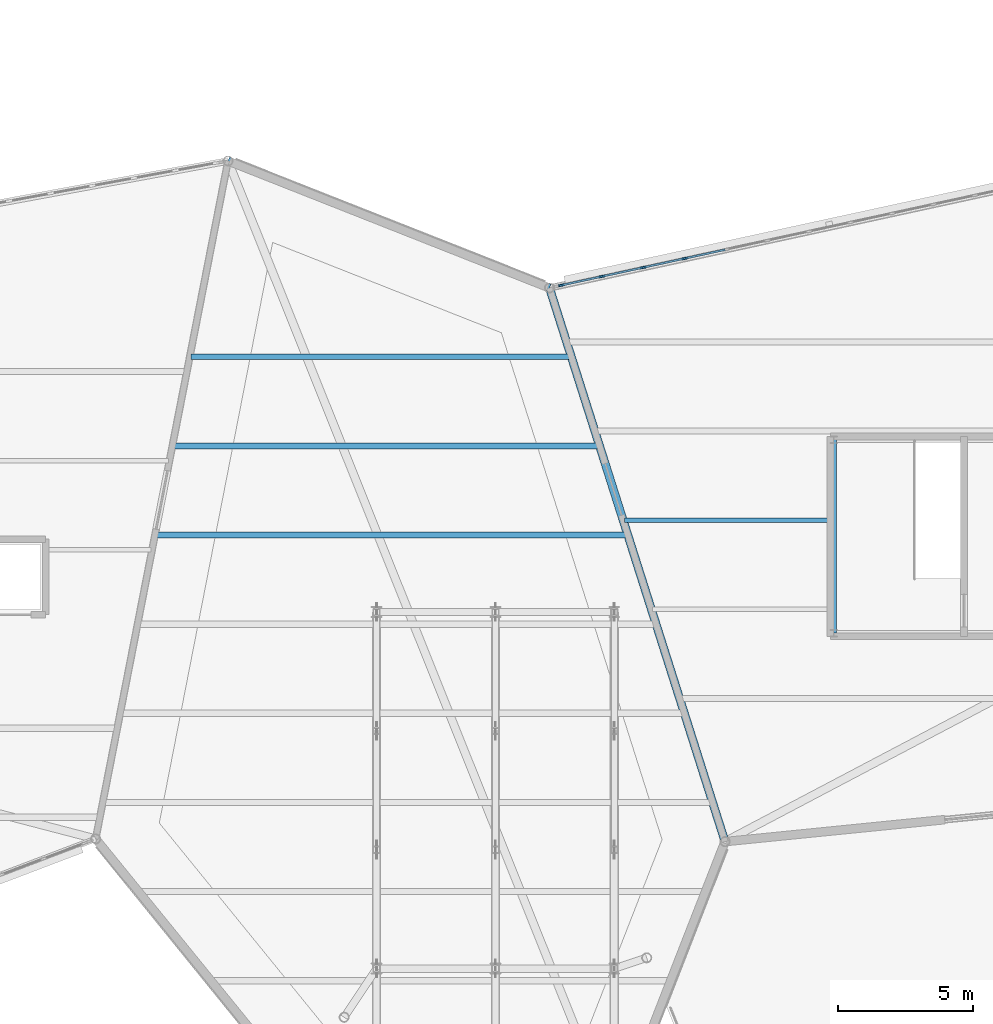
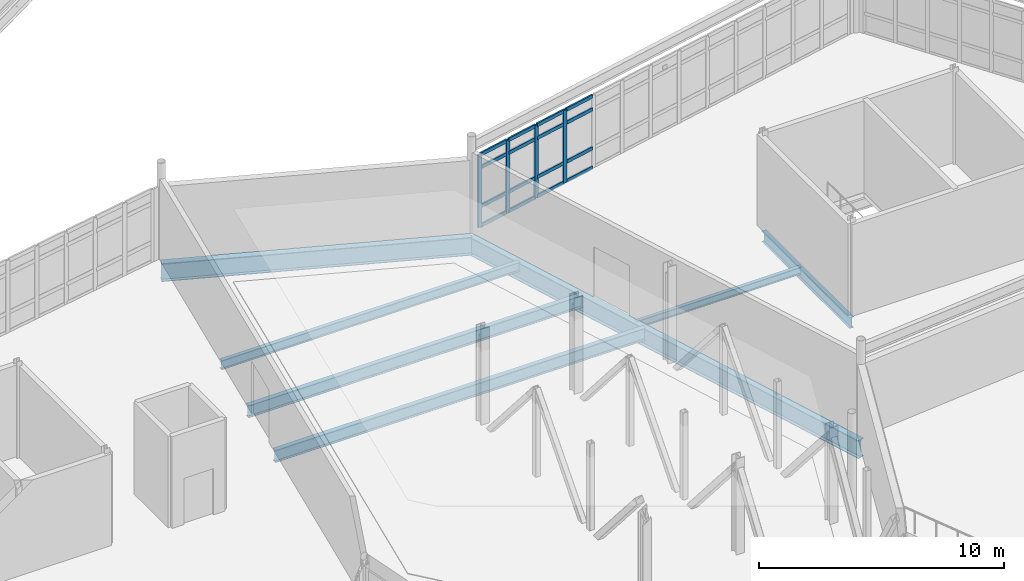
# One storey, part 59 of 114: 20 members, 7 beams, 1 element without a shape of its own.
"""IFC4 building model written with IfcOpenShell, lengths in metres."""

from ifc_helpers import new_model, si_unit, direction, frame, origin, origin_2d, place, context, subcontext, project, spatial, rectangle, i_section, extrude, material, material_profile, profile_set, type_object, element, aggregate, save


model = new_model("IFC4")

# Units and contexts
model_context = context("Model", 3, precision=1e-05, world=origin(), true_north=direction((0.0, 1.0)))
body_context = subcontext(model_context, "Body", "Model", "MODEL_VIEW")
ifc_project = project(units=[si_unit("LENGTHUNIT", "METRE"), si_unit("AREAUNIT", "SQUARE_METRE"), si_unit("VOLUMEUNIT", "CUBIC_METRE"), si_unit("PLANEANGLEUNIT", "RADIAN"), si_unit("MASSUNIT", "GRAM", prefix="KILO")], contexts=[model_context])

# Site, building, storey
site_placement = place(None, origin())
site = spatial("IfcSite", under=ifc_project, at=site_placement, CompositionType="ELEMENT")
building_placement = place(site_placement, origin())
building = spatial("IfcBuilding", under=site, at=building_placement, Name="Tameran Prism Museum", CompositionType="ELEMENT")
storey_placement = place(building_placement, frame((0.0, 0.0, 10.199951171875)))
storey = spatial("IfcBuildingStorey", under=building, at=storey_placement, Name="L02", CompositionType="ELEMENT", Elevation=10.199951171875)

# Beams
ifc_material_1 = material(Name="Steel Grade 300PLUS (300 MPa)", Category="steel")
ifc_material_profile_1 = material_profile(ifc_material_1, i_section(OverallWidth=0.172119140625, OverallDepth=0.35888671875, WebThickness=0.008056640625, FlangeThickness=0.012939453125, FilletRadius=0.011474609375, at=origin_2d()))
ifc_profile_set_1 = profile_set([ifc_material_profile_1])
beam_type_1 = type_object("IfcBeamType", Name="BM-J360A", PredefinedType="JOIST", material=ifc_profile_set_1)
beam_1_placement = place(storey_placement, frame((140.26904296875, 34.10009765625, -0.3994140625), z_axis=(1.0, 0.0, 0.0), x_axis=(0.0, 1.0, 0.0)))
element("IfcBeam", 1, at=beam_1_placement, inside=storey, type_object=beam_type_1, Name="Floor Beam BM-0936", PredefinedType="JOIST", context=body_context, shape_type="SweptSolid", body=[
    extrude(i_section(OverallWidth=0.172119140625, OverallDepth=0.35888671875, WebThickness=0.008056640625, FlangeThickness=0.012939453125, FilletRadius=0.011474609375, at=origin_2d()), origin(), (0.0, 0.0, 1.0), 7.7509765625),
])
ifc_material_2 = material(Name="Steel Grade 300PLUS (300 MPa)", Category="steel")
ifc_material_profile_2 = material_profile(ifc_material_2, i_section(OverallWidth=0.18994140625, OverallDepth=0.4541015625, WebThickness=0.008544921875, FlangeThickness=0.0126953125, FilletRadius=0.011474609375, at=origin_2d()))
ifc_profile_set_2 = profile_set([ifc_material_profile_2])
beam_type_2 = type_object("IfcBeamType", Name="BM-J460B", PredefinedType="JOIST", material=ifc_profile_set_2)
beam_2_placement = place(storey_placement, frame((124.22509765625, 40.14990234375, -0.447021484375), z_axis=(1.0, 0.0, 0.0), x_axis=(0.0, 1.0, 0.0)))
element("IfcBeam", 2, at=beam_2_placement, inside=storey, type_object=beam_type_2, Name="Floor Beam BM-0890", PredefinedType="JOIST", context=body_context, shape_type="SweptSolid", body=[
    extrude(i_section(OverallWidth=0.18994140625, OverallDepth=0.4541015625, WebThickness=0.008544921875, FlangeThickness=0.0126953125, FilletRadius=0.011474609375, at=origin_2d()), origin(), (0.0, 0.0, 1.0), 14.0419921875),
])
ifc_material_3 = material(Name="Steel Grade 300PLUS (300 MPa)", Category="steel")
ifc_material_profile_3 = material_profile(ifc_material_3, i_section(OverallWidth=0.208984375, OverallDepth=0.528076171875, WebThickness=0.009521484375, FlangeThickness=0.01318359375, FilletRadius=0.013916015625, at=origin_2d()))
ifc_profile_set_3 = profile_set([ifc_material_profile_3])
beam_type_3 = type_object("IfcBeamType", Name="BM-SP530B", PredefinedType="SPANDREL", material=ifc_profile_set_3)
beam_3_placement = place(storey_placement, frame((148.02001953125, 37.080078125, -0.50390625), z_axis=(0.0, -1.0, 0.0), x_axis=(1.0, 0.0, 0.0)))
element("IfcBeam", 3, at=beam_3_placement, inside=storey, type_object=beam_type_3, Name="Core Ring Beam CTB-0800", PredefinedType="SPANDREL", context=body_context, shape_type="SweptSolid", body=[
    extrude(i_section(OverallWidth=0.208984375, OverallDepth=0.528076171875, WebThickness=0.009521484375, FlangeThickness=0.01318359375, FilletRadius=0.013916015625, at=origin_2d()), origin(), (0.0, 0.0, 1.0), 7.16015625),
])
ifc_material_4 = material(Name="Steel Grade 300PLUS (300 MPa)", Category="steel")
ifc_material_profile_4 = material_profile(ifc_material_4, i_section(OverallWidth=0.22802734375, OverallDepth=0.60693359375, WebThickness=0.01123046875, FlangeThickness=0.017333984375, FilletRadius=0.013916015625, at=origin_2d()))
ifc_profile_set_4 = profile_set([ifc_material_profile_4])
beam_type_4 = type_object("IfcBeamType", Name="BM-UB610B", PredefinedType="BEAM", material=ifc_profile_set_4)
beam_4_placement = place(storey_placement, frame((122.93701171875, 33.550048828125, -0.5234375), z_axis=(1.0, 0.0, 0.0), x_axis=(0.0, 1.0, 0.0)))
element("IfcBeam", 4, at=beam_4_placement, inside=storey, type_object=beam_type_4, Name="Floor Beam BM-0888", PredefinedType="BEAM", context=body_context, shape_type="SweptSolid", body=[
    extrude(i_section(OverallWidth=0.22802734375, OverallDepth=0.60693359375, WebThickness=0.01123046875, FlangeThickness=0.017333984375, FilletRadius=0.013916015625, at=origin_2d()), origin(), (0.0, 0.0, 1.0), 17.421875),
])
beam_5_placement = place(storey_placement, frame((123.5810546875, 36.85009765625, -0.5234375), z_axis=(1.0, 0.0, 0.0), x_axis=(0.0, 1.0, 0.0)))
element("IfcBeam", 5, at=beam_5_placement, inside=storey, type_object=beam_type_4, Name="Floor Beam BM-0889", PredefinedType="BEAM", context=body_context, shape_type="SweptSolid", body=[
    extrude(i_section(OverallWidth=0.22802734375, OverallDepth=0.60693359375, WebThickness=0.01123046875, FlangeThickness=0.017333984375, FilletRadius=0.013916015625, at=origin_2d()), origin(), (0.0, 0.0, 1.0), 15.73193359375),
])
ifc_material_5 = material(Name="Steel Grade 350 (350 MPa)", Category="steel")
ifc_material_profile_5 = material_profile(ifc_material_5, i_section(OverallWidth=0.300048828125, OverallDepth=0.89990234375, WebThickness=0.011962890625, FlangeThickness=0.030029296875, at=origin_2d()))
ifc_profile_set_5 = profile_set([ifc_material_profile_5])
beam_type_5 = type_object("IfcBeamType", Name="BM-WB900", PredefinedType="BEAM", material=ifc_profile_set_5)
beam_6_placement = place(storey_placement, frame((144.0, 22.199951171875, -0.669921875), z_axis=(-0.302243860734, 0.953230637699, 0.0), x_axis=(-0.953230637699, -0.302243860734, 0.0)))
element("IfcBeam", 6, at=beam_6_placement, inside=storey, type_object=beam_type_5, Name="Perimeter Spandrel SP-0700", PredefinedType="BEAM", context=body_context, shape_type="SweptSolid", body=[
    extrude(i_section(OverallWidth=0.300048828125, OverallDepth=0.89990234375, WebThickness=0.011962890625, FlangeThickness=0.030029296875, at=origin_2d()), origin(), (0.0, 0.0, 1.0), 21.505859375),
])
beam_7_placement = place(storey_placement, frame((137.5, 42.699951171875, -0.669921875), z_axis=(-0.93008523402, 0.36734378647, 0.0), x_axis=(-0.36734378647, -0.93008523402, 0.0)))
element("IfcBeam", 7, at=beam_7_placement, inside=storey, type_object=beam_type_5, Name="Perimeter Spandrel SP-0701", PredefinedType="BEAM", context=body_context, shape_type="SweptSolid", body=[
    extrude(i_section(OverallWidth=0.300048828125, OverallDepth=0.89990234375, WebThickness=0.011962890625, FlangeThickness=0.030029296875, at=origin_2d()), origin(), (0.0, 0.0, 1.0), 12.79443359375),
])

# Curtain wall, members
ifc_material_6 = material(Name="Anodised Aluminium 6063-T6 and Cyclone Solar Glass", Category="aluminium")
curtain_wall_type = type_object("IfcCurtainWallType", Name="CW-FAC-2042x362", PredefinedType="USERDEFINED", material=ifc_material_6)
curtain_wall_placement = place(storey_placement, origin())
curtain_wall = element("IfcCurtainWall", 8, at=curtain_wall_placement, inside=storey, type_object=curtain_wall_type, Name="Unitised Curtain Wall CW-129", ObjectType="UNITISED CURTAIN WALL", PredefinedType="USERDEFINED")
ifc_material_7 = material(Name="Anodised Aluminium Alloy 6063-T6", Category="aluminium")
ifc_material_profile_6 = material_profile(ifc_material_7, rectangle(XDim=0.074951171875, YDim=0.199951171875, at=origin_2d()))
ifc_profile_set_6 = profile_set([ifc_material_profile_6])
member_type_1 = type_object("IfcMemberType", Name="CW-MUL-C", PredefinedType="MULLION", material=ifc_profile_set_6)
member_1_placement = place(storey_placement, frame((137.937744140625, 42.794921875, 0.0), z_axis=(0.0, 0.0, 1.0), x_axis=(-0.212454037801, 0.977171060676, 0.0)))
member_1 = element("IfcMember", 9, at=member_1_placement, type_object=member_type_1, Name="CW-129 mullion 1", PredefinedType="MULLION", context=body_context, shape_type="SweptSolid", body=[
    extrude(rectangle(XDim=0.074951171875, YDim=0.199951171875, at=origin_2d()), origin(), (0.0, 0.0, 1.0), 3.6201171875),
])
member_2_placement = place(storey_placement, frame((139.43603515625, 43.120849609375, 0.0), z_axis=(0.0, 0.0, 1.0), x_axis=(-0.212454037801, 0.977171060676, 0.0)))
member_2 = element("IfcMember", 10, at=member_2_placement, type_object=member_type_1, Name="CW-129 mullion 2", PredefinedType="MULLION", context=body_context, shape_type="SweptSolid", body=[
    extrude(rectangle(XDim=0.074951171875, YDim=0.199951171875, at=origin_2d()), origin(), (0.0, 0.0, 1.0), 3.6201171875),
])
member_3_placement = place(storey_placement, frame((140.97119140625, 43.45458984375, 0.0), z_axis=(0.0, 0.0, 1.0), x_axis=(-0.212454037801, 0.977171060676, 0.0)))
member_3 = element("IfcMember", 11, at=member_3_placement, type_object=member_type_1, Name="CW-129 mullion 3", PredefinedType="MULLION", context=body_context, shape_type="SweptSolid", body=[
    extrude(rectangle(XDim=0.074951171875, YDim=0.199951171875, at=origin_2d()), origin(), (0.0, 0.0, 1.0), 3.6201171875),
])
member_4_placement = place(storey_placement, frame((142.50634765625, 43.788330078125, 0.0), z_axis=(0.0, 0.0, 1.0), x_axis=(-0.212454037801, 0.977171060676, 0.0)))
member_4 = element("IfcMember", 12, at=member_4_placement, type_object=member_type_1, Name="CW-129 mullion 4", PredefinedType="MULLION", context=body_context, shape_type="SweptSolid", body=[
    extrude(rectangle(XDim=0.074951171875, YDim=0.199951171875, at=origin_2d()), origin(), (0.0, 0.0, 1.0), 3.6201171875),
])
ifc_material_8 = material(Name="Anodised Aluminium Alloy 6063-T6", Category="aluminium")
ifc_material_profile_7 = material_profile(ifc_material_8, rectangle(XDim=0.074951171875, YDim=0.175048828125, at=origin_2d()))
ifc_profile_set_7 = profile_set([ifc_material_profile_7])
member_type_2 = type_object("IfcMemberType", Name="CW-TRN-C", PredefinedType="USERDEFINED", material=ifc_profile_set_7)
member_5_placement = place(storey_placement, frame((137.974365234375, 42.802978515625, 0.03759765625), z_axis=(0.977173341979, 0.212443544796, 0.0), x_axis=(-0.212443544796, 0.977173341979, 0.0)))
member_5 = element("IfcMember", 13, at=member_5_placement, type_object=member_type_2, Name="CW-129 transom 1.1", ObjectType="TRANSOM", PredefinedType="USERDEFINED", context=body_context, shape_type="SweptSolid", body=[
    extrude(rectangle(XDim=0.074951171875, YDim=0.175048828125, at=origin_2d()), origin(), (0.0, 0.0, 1.0), 1.458251953125),
])
member_6_placement = place(storey_placement, frame((137.974365234375, 42.802978515625, 1.0), z_axis=(0.977173341979, 0.212443544796, 0.0), x_axis=(-0.212443544796, 0.977173341979, 0.0)))
member_6 = element("IfcMember", 14, at=member_6_placement, type_object=member_type_2, Name="CW-129 transom 1.2", ObjectType="TRANSOM", PredefinedType="USERDEFINED", context=body_context, shape_type="SweptSolid", body=[
    extrude(rectangle(XDim=0.074951171875, YDim=0.175048828125, at=origin_2d()), origin(), (0.0, 0.0, 1.0), 1.458251953125),
])
member_7_placement = place(storey_placement, frame((137.974365234375, 42.802978515625, 2.93994140625), z_axis=(0.977173341979, 0.212443544796, 0.0), x_axis=(-0.212443544796, 0.977173341979, 0.0)))
member_7 = element("IfcMember", 15, at=member_7_placement, type_object=member_type_2, Name="CW-129 transom 1.3", ObjectType="TRANSOM", PredefinedType="USERDEFINED", context=body_context, shape_type="SweptSolid", body=[
    extrude(rectangle(XDim=0.074951171875, YDim=0.175048828125, at=origin_2d()), origin(), (0.0, 0.0, 1.0), 1.458251953125),
])
member_8_placement = place(storey_placement, frame((137.974365234375, 42.802978515625, 3.58251953125), z_axis=(0.977173341979, 0.212443544796, 0.0), x_axis=(-0.212443544796, 0.977173341979, 0.0)))
member_8 = element("IfcMember", 16, at=member_8_placement, type_object=member_type_2, Name="CW-129 transom 1.4", ObjectType="TRANSOM", PredefinedType="USERDEFINED", context=body_context, shape_type="SweptSolid", body=[
    extrude(rectangle(XDim=0.074951171875, YDim=0.175048828125, at=origin_2d()), origin(), (0.0, 0.0, 1.0), 1.458251953125),
])
member_9_placement = place(storey_placement, frame((139.472900390625, 43.128662109375, 0.03759765625), z_axis=(0.977160157558, 0.212504179913, 0.0), x_axis=(-0.212504179913, 0.977160157558, 0.0)))
member_9 = element("IfcMember", 17, at=member_9_placement, type_object=member_type_2, Name="CW-129 transom 2.1", ObjectType="TRANSOM", PredefinedType="USERDEFINED", context=body_context, shape_type="SweptSolid", body=[
    extrude(rectangle(XDim=0.074951171875, YDim=0.175048828125, at=origin_2d()), origin(), (0.0, 0.0, 1.0), 1.495849609375),
])
member_10_placement = place(storey_placement, frame((139.472900390625, 43.128662109375, 1.0), z_axis=(0.977160157558, 0.212504179913, 0.0), x_axis=(-0.212504179913, 0.977160157558, 0.0)))
member_10 = element("IfcMember", 18, at=member_10_placement, type_object=member_type_2, Name="CW-129 transom 2.2", ObjectType="TRANSOM", PredefinedType="USERDEFINED", context=body_context, shape_type="SweptSolid", body=[
    extrude(rectangle(XDim=0.074951171875, YDim=0.175048828125, at=origin_2d()), origin(), (0.0, 0.0, 1.0), 1.495849609375),
])
member_11_placement = place(storey_placement, frame((139.472900390625, 43.128662109375, 2.93994140625), z_axis=(0.977160157558, 0.212504179913, 0.0), x_axis=(-0.212504179913, 0.977160157558, 0.0)))
member_11 = element("IfcMember", 19, at=member_11_placement, type_object=member_type_2, Name="CW-129 transom 2.3", ObjectType="TRANSOM", PredefinedType="USERDEFINED", context=body_context, shape_type="SweptSolid", body=[
    extrude(rectangle(XDim=0.074951171875, YDim=0.175048828125, at=origin_2d()), origin(), (0.0, 0.0, 1.0), 1.495849609375),
])
member_12_placement = place(storey_placement, frame((139.472900390625, 43.128662109375, 3.58251953125), z_axis=(0.977160157558, 0.212504179913, 0.0), x_axis=(-0.212504179913, 0.977160157558, 0.0)))
member_12 = element("IfcMember", 20, at=member_12_placement, type_object=member_type_2, Name="CW-129 transom 2.4", ObjectType="TRANSOM", PredefinedType="USERDEFINED", context=body_context, shape_type="SweptSolid", body=[
    extrude(rectangle(XDim=0.074951171875, YDim=0.175048828125, at=origin_2d()), origin(), (0.0, 0.0, 1.0), 1.495849609375),
])
member_13_placement = place(storey_placement, frame((141.008056640625, 43.46240234375, 0.03759765625), z_axis=(0.977160157558, 0.212504179913, 0.0), x_axis=(-0.212504179913, 0.977160157558, 0.0)))
member_13 = element("IfcMember", 21, at=member_13_placement, type_object=member_type_2, Name="CW-129 transom 3.1", ObjectType="TRANSOM", PredefinedType="USERDEFINED", context=body_context, shape_type="SweptSolid", body=[
    extrude(rectangle(XDim=0.074951171875, YDim=0.175048828125, at=origin_2d()), origin(), (0.0, 0.0, 1.0), 1.495849609375),
])
member_14_placement = place(storey_placement, frame((141.008056640625, 43.46240234375, 1.0), z_axis=(0.977160157558, 0.212504179913, 0.0), x_axis=(-0.212504179913, 0.977160157558, 0.0)))
member_14 = element("IfcMember", 22, at=member_14_placement, type_object=member_type_2, Name="CW-129 transom 3.2", ObjectType="TRANSOM", PredefinedType="USERDEFINED", context=body_context, shape_type="SweptSolid", body=[
    extrude(rectangle(XDim=0.074951171875, YDim=0.175048828125, at=origin_2d()), origin(), (0.0, 0.0, 1.0), 1.495849609375),
])
member_15_placement = place(storey_placement, frame((141.008056640625, 43.46240234375, 2.93994140625), z_axis=(0.977160157558, 0.212504179913, 0.0), x_axis=(-0.212504179913, 0.977160157558, 0.0)))
member_15 = element("IfcMember", 23, at=member_15_placement, type_object=member_type_2, Name="CW-129 transom 3.3", ObjectType="TRANSOM", PredefinedType="USERDEFINED", context=body_context, shape_type="SweptSolid", body=[
    extrude(rectangle(XDim=0.074951171875, YDim=0.175048828125, at=origin_2d()), origin(), (0.0, 0.0, 1.0), 1.495849609375),
])
member_16_placement = place(storey_placement, frame((141.008056640625, 43.46240234375, 3.58251953125), z_axis=(0.977160157558, 0.212504179913, 0.0), x_axis=(-0.212504179913, 0.977160157558, 0.0)))
member_16 = element("IfcMember", 24, at=member_16_placement, type_object=member_type_2, Name="CW-129 transom 3.4", ObjectType="TRANSOM", PredefinedType="USERDEFINED", context=body_context, shape_type="SweptSolid", body=[
    extrude(rectangle(XDim=0.074951171875, YDim=0.175048828125, at=origin_2d()), origin(), (0.0, 0.0, 1.0), 1.495849609375),
])
member_17_placement = place(storey_placement, frame((142.543212890625, 43.79638671875, 0.03759765625), z_axis=(0.977194037722, 0.212348328558, 0.0), x_axis=(-0.212348328558, 0.977194037722, 0.0)))
member_17 = element("IfcMember", 25, at=member_17_placement, type_object=member_type_2, Name="CW-129 transom 4.1", ObjectType="TRANSOM", PredefinedType="USERDEFINED", context=body_context, shape_type="SweptSolid", body=[
    extrude(rectangle(XDim=0.074951171875, YDim=0.175048828125, at=origin_2d()), origin(), (0.0, 0.0, 1.0), 1.495849609375),
])
member_18_placement = place(storey_placement, frame((142.543212890625, 43.79638671875, 1.0), z_axis=(0.977194037722, 0.212348328558, 0.0), x_axis=(-0.212348328558, 0.977194037722, 0.0)))
member_18 = element("IfcMember", 26, at=member_18_placement, type_object=member_type_2, Name="CW-129 transom 4.2", ObjectType="TRANSOM", PredefinedType="USERDEFINED", context=body_context, shape_type="SweptSolid", body=[
    extrude(rectangle(XDim=0.074951171875, YDim=0.175048828125, at=origin_2d()), origin(), (0.0, 0.0, 1.0), 1.495849609375),
])
member_19_placement = place(storey_placement, frame((142.543212890625, 43.79638671875, 2.93994140625), z_axis=(0.977194037722, 0.212348328558, 0.0), x_axis=(-0.212348328558, 0.977194037722, 0.0)))
member_19 = element("IfcMember", 27, at=member_19_placement, type_object=member_type_2, Name="CW-129 transom 4.3", ObjectType="TRANSOM", PredefinedType="USERDEFINED", context=body_context, shape_type="SweptSolid", body=[
    extrude(rectangle(XDim=0.074951171875, YDim=0.175048828125, at=origin_2d()), origin(), (0.0, 0.0, 1.0), 1.495849609375),
])
member_20_placement = place(storey_placement, frame((142.543212890625, 43.79638671875, 3.58251953125), z_axis=(0.977194037722, 0.212348328558, 0.0), x_axis=(-0.212348328558, 0.977194037722, 0.0)))
member_20 = element("IfcMember", 28, at=member_20_placement, type_object=member_type_2, Name="CW-129 transom 4.4", ObjectType="TRANSOM", PredefinedType="USERDEFINED", context=body_context, shape_type="SweptSolid", body=[
    extrude(rectangle(XDim=0.074951171875, YDim=0.175048828125, at=origin_2d()), origin(), (0.0, 0.0, 1.0), 1.495849609375),
])
aggregate(curtain_wall, [member_1, member_2, member_3, member_4, member_5, member_6, member_7, member_8, member_9, member_10, member_11, member_12, member_13, member_14, member_15, member_16, member_17, member_18, member_19, member_20])

save(model, "model.ifc")
